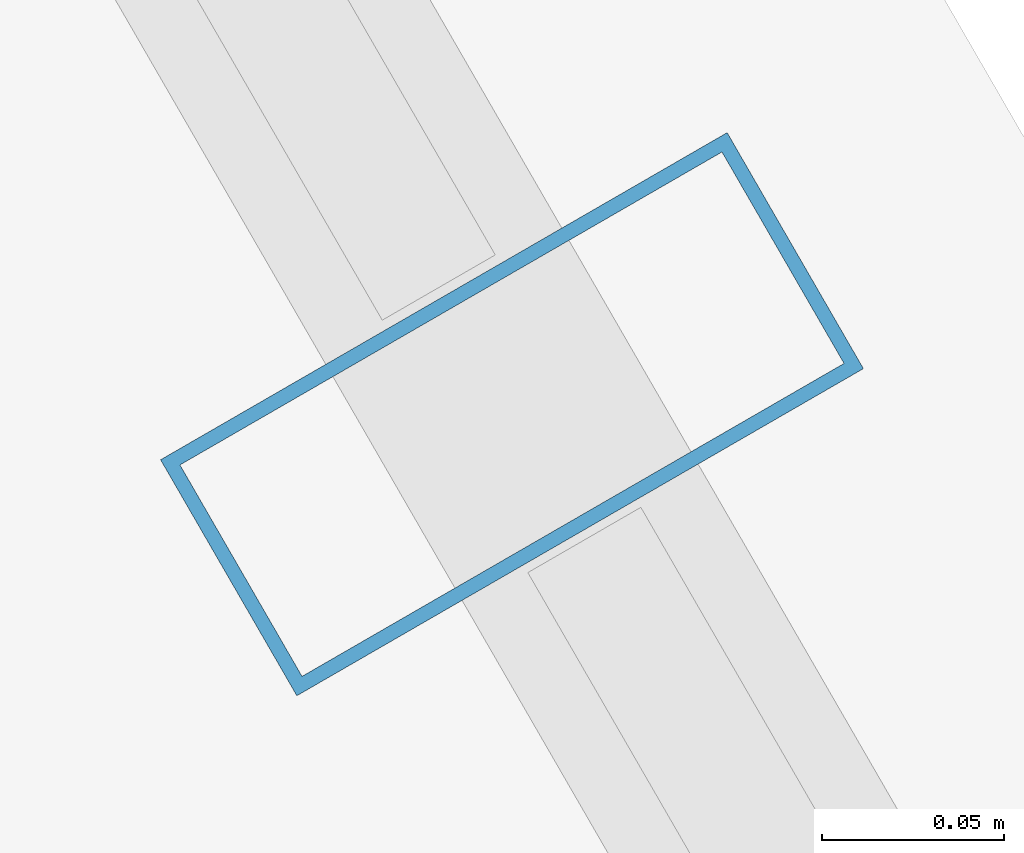
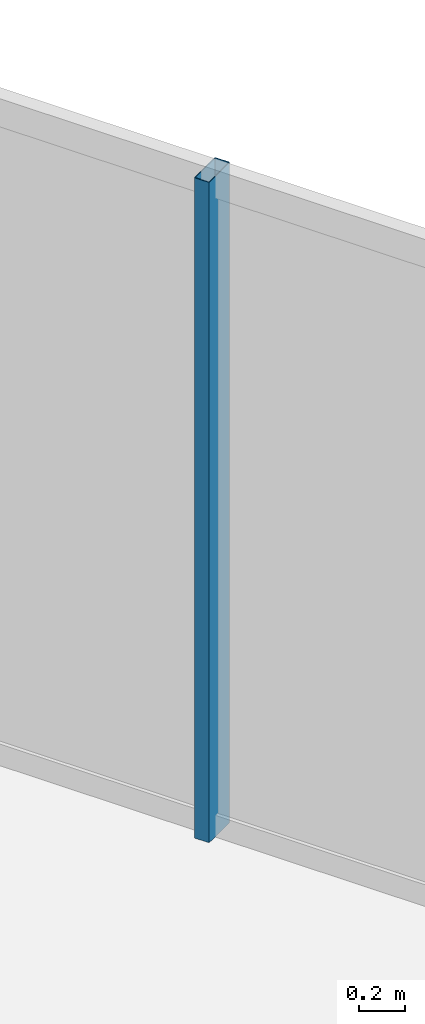
# One storey, part 19 of 31: 1 member, 1 element without a shape of its own.
"""IFC4 building model written with IfcOpenShell, lengths in metres."""

import ifcopenshell
import ifcopenshell.guid

model = None  # the IFC model being written
_history = None  # IfcOwnerHistory: only IFC2X3 demands one
_inside = {}  # id of a spatial element -> (the spatial element, [elements in it])
_under = {}  # id of a project, library or spatial element -> (it, [spatial elements below it])
_declared = {}  # id of a project -> (the project, [libraries it declares])
_typed = {}  # id of a type object -> (the type object, [elements of that type])
_made_of = {}  # id of a material, layer set ... -> (it, [elements and type objects made of it])


def new_model(schema):
    """Start an empty IFC model of exactly this schema.

    Asked for "IFC4X3", IfcOpenShell would pick the latest addendum, in which some entities
    have other attributes; the version numbers below select the first issue.
    IFC2X3 requires an IfcOwnerHistory on every rooted entity: one is made here for all.
    """
    global model, _history
    if schema == "IFC4X3":
        model = ifcopenshell.file(schema_version=(4, 3, 0, 0))
    else:
        model = ifcopenshell.file(schema=schema)
    _inside.clear()
    _under.clear()
    _declared.clear()
    _typed.clear()
    _made_of.clear()
    _history = None
    if model.schema == "IFC2X3":
        org = make("IfcOrganization", Name="unknown")
        user = make(
            "IfcPersonAndOrganization",
            ThePerson=make("IfcPerson", FamilyName="unknown"),
            TheOrganization=org,
        )
        app = make(
            "IfcApplication",
            ApplicationDeveloper=org,
            Version="unknown",
            ApplicationFullName="unknown",
            ApplicationIdentifier="unknown",
        )
        _history = make(
            "IfcOwnerHistory",
            OwningUser=user,
            OwningApplication=app,
            ChangeAction="ADDED",
            CreationDate=0,
        )
    return model


def make(cls, **values):
    """One entity of the class cls with the attributes given. An attribute that is None is left unset."""
    return model.create_entity(
        cls, **{name: value for name, value in values.items() if value is not None}
    )


def rooted(cls, **values):
    """An entity with a GlobalId (a new one), such as an element, a storey or a relation."""
    return make(cls, GlobalId=ifcopenshell.guid.new(), OwnerHistory=_history, **values)


def si_unit(unit_type, name, prefix=None):
    """IfcSIUnit, for example si_unit("LENGTHUNIT", "METRE", prefix="MILLI")."""
    return make("IfcSIUnit", UnitType=unit_type, Prefix=prefix, Name=name)


def assignment(units):
    """IfcUnitAssignment: the units of a project."""
    return None if units is None else make("IfcUnitAssignment", Units=units)


def point(xyz):
    """IfcCartesianPoint."""
    return None if xyz is None else make("IfcCartesianPoint", Coordinates=xyz)


def direction(xyz):
    """IfcDirection."""
    return None if xyz is None else make("IfcDirection", DirectionRatios=xyz)


def frame(location, z_axis=None, x_axis=None):
    """IfcAxis2Placement3D, a coordinate frame: its origin and axes. An axis left out is left unset."""
    return make(
        "IfcAxis2Placement3D",
        Location=point(location),
        Axis=direction(z_axis),
        RefDirection=direction(x_axis),
    )


def frame_2d(location, x_axis=None):
    """IfcAxis2Placement2D, a coordinate frame in the plane: its origin and x axis."""
    return make(
        "IfcAxis2Placement2D", Location=point(location), RefDirection=direction(x_axis)
    )


def origin():
    """The frame at (0, 0, 0) with its axes left unset."""
    return frame((0.0, 0.0, 0.0))


def origin_2d():
    """The frame at (0, 0) in the plane with its x axis left unset."""
    return frame_2d((0.0, 0.0))


def place(relative_to, where):
    """IfcLocalPlacement: puts the frame where relative to a parent placement (None: the world)."""
    return make(
        "IfcLocalPlacement", PlacementRelTo=relative_to, RelativePlacement=where
    )


def context(
    kind, dimensions, precision=None, world=None, true_north=None, identifier=None
):
    """IfcGeometricRepresentationContext, for example the 3D "Model" context."""
    return make(
        "IfcGeometricRepresentationContext",
        ContextIdentifier=identifier,
        ContextType=kind,
        CoordinateSpaceDimension=dimensions,
        Precision=precision,
        WorldCoordinateSystem=world,
        TrueNorth=true_north,
    )


def subcontext(parent, identifier, kind, view, scale=None):
    """IfcGeometricRepresentationSubContext, for example "Body" below "Model"."""
    return make(
        "IfcGeometricRepresentationSubContext",
        ContextIdentifier=identifier,
        ContextType=kind,
        ParentContext=parent,
        TargetScale=scale,
        TargetView=view,
    )


def project(units=None, contexts=None):
    """IfcProject with its units and contexts."""
    return rooted(
        "IfcProject",
        Name="project",
        RepresentationContexts=contexts,
        UnitsInContext=assignment(units),
    )


def spatial(cls, under=None, at=None, **own):
    """A site, building, storey or space (cls), placed at a placement, below another one or the project."""
    s = rooted(cls, ObjectPlacement=at, **own)
    if under is not None:
        _under.setdefault(under.id(), (under, []))[1].append(s)
    return s


def profile(cls, at=None, kind="AREA", **sizes):
    """A parametric profile (cls). Its sizes go by their IFC names, for example OverallWidth=200.0."""
    return make(cls, ProfileType=kind, Position=at, **sizes)


def hollow_rectangle(**sizes):
    """IfcRectangleHollowProfileDef."""
    return profile("IfcRectangleHollowProfileDef", **sizes)


def extrude(swept, where, along, depth):
    """IfcExtrudedAreaSolid: the profile swept, set in the frame where, extruded along a direction by depth."""
    return make(
        "IfcExtrudedAreaSolid",
        SweptArea=swept,
        Position=where,
        ExtrudedDirection=direction(along),
        Depth=depth,
    )


def shape(context_of_items, identifier, shape_type, items):
    """IfcShapeRepresentation: the items that make up one representation, for example the "Body"."""
    return make(
        "IfcShapeRepresentation",
        ContextOfItems=context_of_items,
        RepresentationIdentifier=identifier,
        RepresentationType=shape_type,
        Items=items,
    )


def material(Name=None, Category=None):
    """IfcMaterial."""
    return make("IfcMaterial", Name=Name, Category=Category)


def layer(
    of_material, thickness, ventilated=None, Name=None, Category=None, Priority=None
):
    """IfcMaterialLayer: one layer of a wall or slab, of a material (None: an air gap)."""
    return make(
        "IfcMaterialLayer",
        Material=of_material,
        LayerThickness=thickness,
        IsVentilated=ventilated,
        Name=Name,
        Category=Category,
        Priority=Priority,
    )


def layer_set(layers, Name=None):
    """IfcMaterialLayerSet."""
    return make("IfcMaterialLayerSet", MaterialLayers=layers, LayerSetName=Name)


def material_profile(
    of_material, cross_section, Name=None, Category=None, Priority=None
):
    """IfcMaterialProfile: a cross section and its material."""
    return make(
        "IfcMaterialProfile",
        Name=Name,
        Material=of_material,
        Profile=cross_section,
        Priority=Priority,
        Category=Category,
    )


def profile_set(profiles, Name=None, composite=None):
    """IfcMaterialProfileSet."""
    return make(
        "IfcMaterialProfileSet",
        Name=Name,
        MaterialProfiles=profiles,
        CompositeProfile=composite,
    )


def made_of(thing, what):
    """Note that an element or type object is made of a material, layer set ...; save() writes the relation."""
    if what is not None:
        _made_of.setdefault(what.id(), (what, []))[1].append(thing)
    return thing


def type_object(cls, material=None, **own):
    """A type object (cls), such as IfcWallType, which elements share."""
    return made_of(rooted(cls, **own), material)


def element(
    cls,
    number,
    at=None,
    inside=None,
    cuts=None,
    type_object=None,
    material=None,
    context=None,
    identifier="Body",
    shape_type=None,
    held_by="IfcProductDefinitionShape",
    body=None,
    shapes=None,
    **own,
):
    """One element of the class cls, such as IfcWall. Its Tag is "e" and its number.

    at: its placement. inside: the storey or other place that contains it. cuts: it is an
    opening in that element (IfcRelVoidsElement). A single representation is given by context,
    identifier, shape_type and body (its items); several are given by shapes. held_by: the class
    of the entity that holds the representations. save() writes the other relations.
    """
    e = rooted(cls, Tag="e%d" % number, ObjectPlacement=at, **own)
    if body is not None:
        shapes = [shape(context, identifier, shape_type, body)]
    if shapes is not None:
        e.Representation = make(held_by, Representations=shapes)
    if inside is not None:
        _inside.setdefault(inside.id(), (inside, []))[1].append(e)
    if cuts is not None:
        rooted(
            "IfcRelVoidsElement", RelatingBuildingElement=cuts, RelatedOpeningElement=e
        )
    if type_object is not None:
        _typed.setdefault(type_object.id(), (type_object, []))[1].append(e)
    return made_of(e, material)


def aggregate(whole, parts):
    """IfcRelAggregates: a whole, such as a stair, and the parts it consists of."""
    return rooted("IfcRelAggregates", RelatingObject=whole, RelatedObjects=parts)


def save(model, path):
    """Write the relations noted so far, then the file.

    IfcRelAggregates (storeys below a building ...), IfcRelContainedInSpatialStructure (elements
    in a storey), IfcRelDefinesByType, IfcRelAssociatesMaterial and IfcRelDeclares: one each for
    every whole, place, type object, material and project.
    """
    for whole, parts in _under.values():
        aggregate(whole, parts)
    for where, things in _inside.values():
        rooted(
            "IfcRelContainedInSpatialStructure",
            RelatedElements=things,
            RelatingStructure=where,
        )
    for kind, things in _typed.values():
        rooted("IfcRelDefinesByType", RelatedObjects=things, RelatingType=kind)
    for what, things in _made_of.values():
        rooted("IfcRelAssociatesMaterial", RelatedObjects=things, RelatingMaterial=what)
    for by, libraries in _declared.values():
        rooted("IfcRelDeclares", RelatingContext=by, RelatedDefinitions=libraries)
    model.write(path)


model = new_model("IFC4")

# Units and contexts
model_context = context("Model", 3, precision=1e-05, world=origin(), true_north=direction((0.0, 1.0)))
body_context = subcontext(model_context, "Body", "Model", "MODEL_VIEW")
ifc_project = project(units=[si_unit("LENGTHUNIT", "METRE"), si_unit("AREAUNIT", "SQUARE_METRE"), si_unit("VOLUMEUNIT", "CUBIC_METRE"), si_unit("PLANEANGLEUNIT", "RADIAN"), si_unit("MASSUNIT", "GRAM", prefix="KILO")], contexts=[model_context])

# Site, building, storey
site_placement = place(None, origin())
site = spatial("IfcSite", under=ifc_project, at=site_placement, CompositionType="ELEMENT")
building_placement = place(site_placement, origin())
building = spatial("IfcBuilding", under=site, at=building_placement, Name="Ndaravel Arena Tower", CompositionType="ELEMENT")
storey_placement = place(building_placement, frame((0.0, 0.0, 108.199951171875)))
storey = spatial("IfcBuildingStorey", under=building, at=storey_placement, Name="L25", CompositionType="ELEMENT", Elevation=108.199951171875)

# Curtain wall, member
ifc_material_1 = material(Name="Aluminium", Category="aluminium")
ifc_layer = layer(ifc_material_1, 0.179931640625)
ifc_layer_set = layer_set([ifc_layer], Name="Aluminium")
curtain_wall_type = type_object("IfcCurtainWallType", Name="CW-SYS-03", PredefinedType="NOTDEFINED", material=ifc_layer_set)
curtain_wall_placement = place(storey_placement, origin())
curtain_wall = element("IfcCurtainWall", 1, at=curtain_wall_placement, inside=storey, type_object=curtain_wall_type, Name="L25 Faceted Crystal Curtain Wall CW-L25-E03", PredefinedType="NOTDEFINED")
ifc_material_2 = material(Name="Aluminium", Category="aluminium")
ifc_material_profile = material_profile(ifc_material_2, hollow_rectangle(XDim=0.074951171875, YDim=0.179931640625, WallThickness=0.00390625, at=origin_2d()), Name="CW MULLION 75x180x4")
ifc_profile_set = profile_set([ifc_material_profile], Name="Aluminium")
member_type = type_object("IfcMemberType", Name="MEM-CW-MUL180", PredefinedType="MULLION", material=ifc_profile_set)
member_placement = place(storey_placement, frame((55.046142578125, 35.038818359375, 0.0), z_axis=(0.0, 0.0, 1.0), x_axis=(-0.5, 0.866025403784, 0.0)))
member = element("IfcMember", 2, at=member_placement, type_object=member_type, Name="CW-L25-E03 Mullion 05", PredefinedType="MULLION", context=body_context, shape_type="SweptSolid", body=[
    extrude(hollow_rectangle(XDim=0.074951171875, YDim=0.179931640625, WallThickness=0.00390625, at=origin_2d()), origin(), (0.0, 0.0, 1.0), 3.52001953125),
])
aggregate(curtain_wall, [member])

save(model, "model.ifc")
